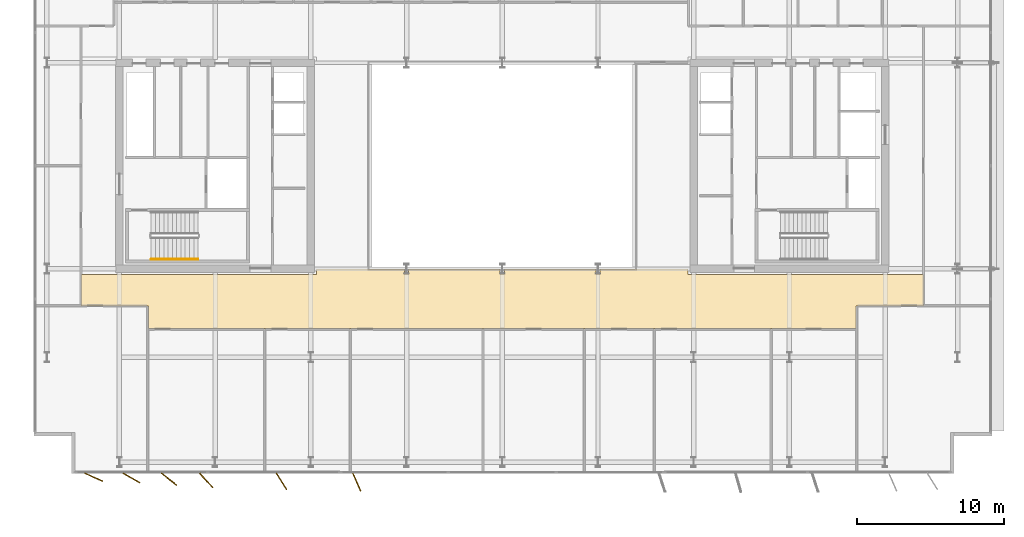
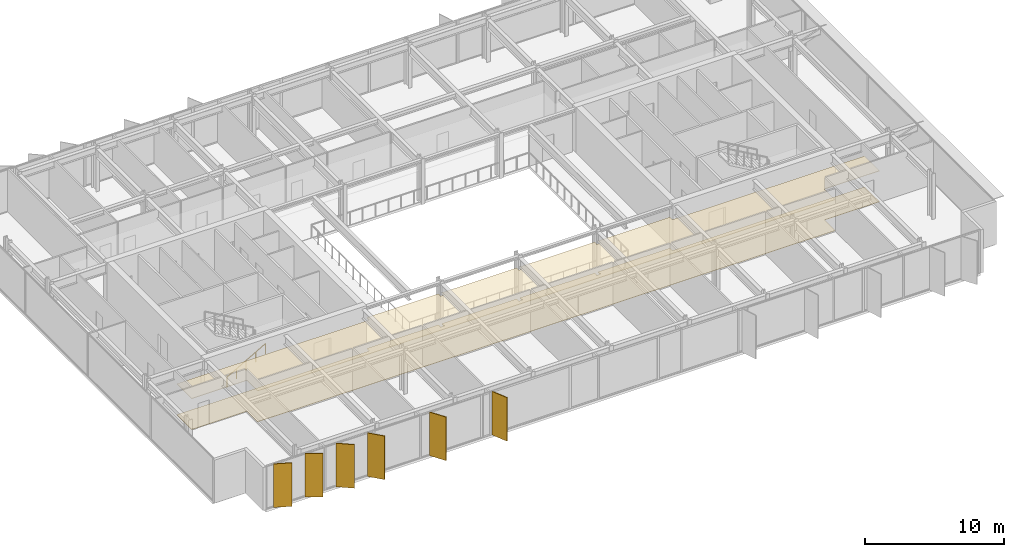
# One storey, part 17 of 21: 6 shading devices, 2 coverings, 1 railing.
"""IFC4 building model written with IfcOpenShell, lengths in metres."""

from ifc_helpers import new_model, si_unit, direction, frame, origin, origin_2d, place, context, subcontext, project, spatial, polyline, rectangle, circle, outline, extrude, material, layer, layer_set, type_object, element, save


model = new_model("IFC4")

# Units and contexts
model_context = context("Model", 3, precision=1e-05, world=origin(), true_north=direction((0.0, 1.0)))
body_context = subcontext(model_context, "Body", "Model", "MODEL_VIEW")
ifc_project = project(units=[si_unit("LENGTHUNIT", "METRE"), si_unit("AREAUNIT", "SQUARE_METRE"), si_unit("VOLUMEUNIT", "CUBIC_METRE"), si_unit("PLANEANGLEUNIT", "RADIAN"), si_unit("MASSUNIT", "GRAM", prefix="KILO")], contexts=[model_context])

# Site, building, storey
site_placement = place(None, origin())
site = spatial("IfcSite", under=ifc_project, at=site_placement, CompositionType="ELEMENT")
building_placement = place(site_placement, origin())
building = spatial("IfcBuilding", under=site, at=building_placement, Name="Putna Gate Headquarters", CompositionType="ELEMENT")
storey_placement = place(building_placement, frame((0.0, 0.0, 278.39990234375)))
storey = spatial("IfcBuildingStorey", under=building, at=storey_placement, Name="L70", CompositionType="ELEMENT", Elevation=278.39990234375)

# Coverings
ifc_material_1 = material(Name="Perforated mineral-fibre acoustic ceiling tile")
ifc_layer_1 = layer(ifc_material_1, 0.0400390625)
ifc_layer_set_1 = layer_set([ifc_layer_1], Name="Perforated mineral-fibre acoustic ceiling tile")
covering_type_1 = type_object("IfcCoveringType", Name="COV-ACOUSTIC-CEILING", PredefinedType="CEILING", material=ifc_layer_set_1)
covering_1_placement = place(storey_placement, frame((0.0, 0.0, 2.710205078125)))
element("IfcCovering", 1, at=covering_1_placement, inside=storey, type_object=covering_type_1, Name="L70 Acoustic Ceiling Covering 2", PredefinedType="CEILING", context=body_context, shape_type="SweptSolid", body=[
    extrude(outline(polyline([(14.969482421875, 16.47998046875), (14.969482421875, 14.93994140625), (63.026123046875, 14.93994140625), (63.026123046875, 16.47998046875), (67.6201171875, 16.47998046875), (67.6201171875, 18.6201171875), (51.60009765625, 18.6201171875), (51.60009765625, 18.97998046875), (45.639892578125, 18.97998046875), (45.639892578125, 18.714111328125), (45.660400390625, 18.714111328125), (45.660400390625, 18.657958984375), (45.339599609375, 18.657958984375), (45.339599609375, 18.714111328125), (45.360107421875, 18.714111328125), (45.360107421875, 18.97998046875), (39.139892578125, 18.97998046875), (39.139892578125, 18.714111328125), (39.160400390625, 18.714111328125), (39.160400390625, 18.657958984375), (38.839599609375, 18.657958984375), (38.839599609375, 18.714111328125), (38.860107421875, 18.714111328125), (38.860107421875, 18.97998046875), (32.639892578125, 18.97998046875), (32.639892578125, 18.714111328125), (32.660400390625, 18.714111328125), (32.660400390625, 18.657958984375), (32.339599609375, 18.657958984375), (32.339599609375, 18.714111328125), (32.360107421875, 18.714111328125), (32.360107421875, 18.97998046875), (26.39990234375, 18.97998046875), (26.39990234375, 18.6201171875), (10.3798828125, 18.6201171875), (10.3798828125, 16.47998046875), (14.969482421875, 16.47998046875)])), origin(), (0.0, 0.0, 1.0), 0.039794921875),
])
ifc_material_2 = material(Name="Calcium-sulphate raised access floor finish")
ifc_layer_2 = layer(ifc_material_2, 0.030029296875)
ifc_layer_set_2 = layer_set([ifc_layer_2], Name="Calcium-sulphate raised access floor finish")
covering_type_2 = type_object("IfcCoveringType", Name="COV-RAISED-FLOORING", PredefinedType="FLOORING", material=ifc_layer_set_2)
covering_2_placement = place(storey_placement, origin())
element("IfcCovering", 2, at=covering_2_placement, inside=storey, type_object=covering_type_2, Name="L70 Raised Access Floor Covering 2", PredefinedType="FLOORING", context=body_context, shape_type="SweptSolid", body=[
    extrude(outline(polyline([(14.969482421875, 16.47998046875), (14.969482421875, 14.93994140625), (63.026123046875, 14.93994140625), (63.026123046875, 16.47998046875), (67.6201171875, 16.47998046875), (67.6201171875, 18.6201171875), (51.60009765625, 18.6201171875), (51.60009765625, 18.97998046875), (45.639892578125, 18.97998046875), (45.639892578125, 18.714111328125), (45.660400390625, 18.714111328125), (45.660400390625, 18.657958984375), (45.339599609375, 18.657958984375), (45.339599609375, 18.714111328125), (45.360107421875, 18.714111328125), (45.360107421875, 18.97998046875), (39.139892578125, 18.97998046875), (39.139892578125, 18.714111328125), (39.160400390625, 18.714111328125), (39.160400390625, 18.657958984375), (38.839599609375, 18.657958984375), (38.839599609375, 18.714111328125), (38.860107421875, 18.714111328125), (38.860107421875, 18.97998046875), (32.639892578125, 18.97998046875), (32.639892578125, 18.714111328125), (32.660400390625, 18.714111328125), (32.660400390625, 18.657958984375), (32.339599609375, 18.657958984375), (32.339599609375, 18.714111328125), (32.360107421875, 18.714111328125), (32.360107421875, 18.97998046875), (26.39990234375, 18.97998046875), (26.39990234375, 18.6201171875), (10.3798828125, 18.6201171875), (10.3798828125, 16.47998046875), (14.969482421875, 16.47998046875)])), origin(), (0.0, 0.0, 1.0), 0.030029296875),
])

# Railing
ifc_material_3 = material(Name="Brushed stainless steel handrail", Category="steel")
railing_type = type_object("IfcRailingType", Name="RAIL-STAIR-HAND-900", PredefinedType="HANDRAIL", material=ifc_material_3)
railing_placement = place(storey_placement, frame((15.14990234375, 19.64990234375, 0.166748046875)))
element("IfcRailing", 3, at=railing_placement, inside=storey, type_object=railing_type, Name="L70 ST1 stair handrail 1", PredefinedType="HANDRAIL", context=body_context, shape_type="SweptSolid", body=[
    extrude(circle(Radius=0.02392578125, at=origin_2d()), frame((0.0, 0.0, 0.8759765625), z_axis=(0.8670360191, 0.0, 0.498245463184), x_axis=(0.0, 1.0, 0.0)), (0.0, 0.0, 1.0), 3.679443359375),
    extrude(circle(Radius=0.02099609375, at=origin_2d()), origin(), (0.0, 0.0, 1.0), 0.851806640625),
    extrude(circle(Radius=0.02099609375, at=origin_2d()), frame((0.797607421875, 0.0, 0.458251953125)), (0.0, 0.0, 1.0), 0.851806640625),
    extrude(circle(Radius=0.02099609375, at=origin_2d()), frame((1.59521484375, 0.0, 0.91650390625)), (0.0, 0.0, 1.0), 0.851806640625),
    extrude(circle(Radius=0.02099609375, at=origin_2d()), frame((2.392578125, 0.0, 1.375)), (0.0, 0.0, 1.0), 0.851806640625),
    extrude(circle(Radius=0.02099609375, at=origin_2d()), frame((3.190185546875, 0.0, 1.833251953125)), (0.0, 0.0, 1.0), 0.851806640625),
])

# Shading devices
ifc_material_4 = material(Name="Anodised architectural bronze aluminium fin", Category="aluminium")
ifc_layer_3 = layer(ifc_material_4, 0.06494140625)
ifc_layer_set_3 = layer_set([ifc_layer_3], Name="Anodised architectural bronze aluminium fin")
shading_device_type = type_object("IfcShadingDeviceType", Name="SHADE-BRONZE-FIN-1320", PredefinedType="USERDEFINED", material=ifc_layer_set_3)
for number, where, z_axis, x_axis, name in (
    (4, (11.2529296875, 4.856689453125, -0.02001953125), (0.0, 0.0, 1.0), (0.913687379856, -0.40641773078, 0.0), "L70 Bronze Vertical Shading Fin S1"),
    (5, (13.82373046875, 4.798828125, -0.02001953125), (0.0, 0.0, 1.0), (0.869322458298, -0.494245347472, 0.0), "L70 Bronze Vertical Shading Fin S2"),
    (6, (16.36962890625, 4.71826171875, -0.02001953125), (0.0, 0.0, 1.0), (0.787473187632, -0.616348909921, 0.0), "L70 Bronze Vertical Shading Fin S3"),
    (7, (18.8916015625, 4.634521484375, -0.02001953125), (0.0, 0.0, 1.0), (0.669130606359, -0.743144825477, 0.0), "L70 Bronze Vertical Shading Fin S4"),
    (8, (24.000244140625, 4.565673828125, -0.02001953125), (0.0, 0.0, 1.0), (0.530659123936, -0.847585331506, 0.0), "L70 Bronze Vertical Shading Fin S5"),
    (9, (29.114501953125, 4.520263671875, -0.02001953125), (0.0, 0.0, 1.0), (0.400668879095, -0.916222925562, 0.0), "L70 Bronze Vertical Shading Fin S6"),
):
    element("IfcShadingDevice", number, at=place(storey_placement, frame(where, z_axis=z_axis, x_axis=x_axis)), inside=storey, type_object=shading_device_type, Name=name, ObjectType="FIN", PredefinedType="USERDEFINED", context=body_context, shape_type="SweptSolid", body=[
        extrude(rectangle(XDim=1.320068359375, YDim=0.06494140625, at=origin_2d()), origin(), (0.0, 0.0, 1.0), 3.827880859375),
    ])

save(model, "model.ifc")
